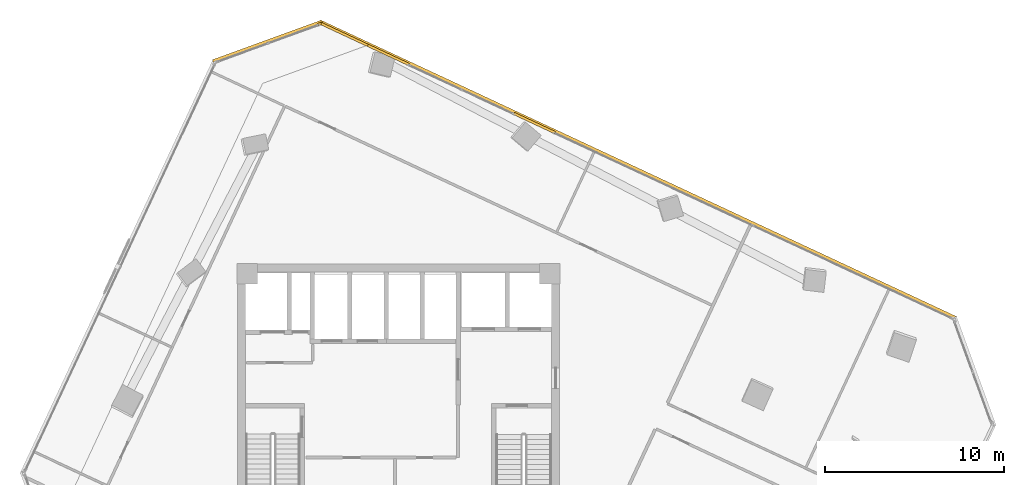
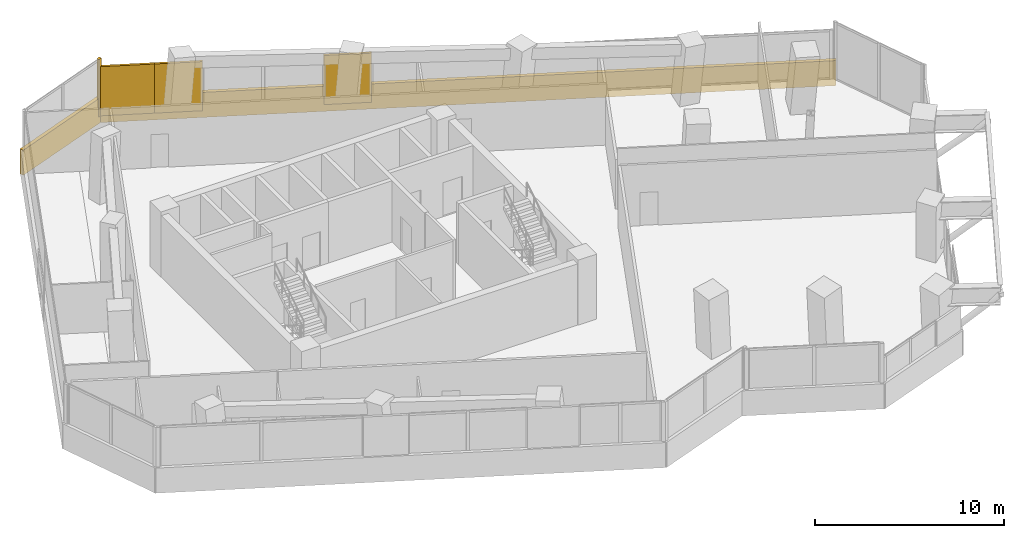
# One storey, part 21 of 21: 6 coverings.
"""IFC4 building model written with IfcOpenShell, lengths in metres."""

from ifc_helpers import new_model, si_unit, direction, frame, origin, origin_2d, place, context, subcontext, project, spatial, rectangle, extrude, source, transform, mapped, material, layer, layer_set, type_object, element, save


model = new_model("IFC4")

# Units and contexts
model_context = context("Model", 3, precision=1e-05, world=origin(), true_north=direction((0.0, 1.0)))
body_context = subcontext(model_context, "Body", "Model", "MODEL_VIEW")
ifc_project = project(units=[si_unit("LENGTHUNIT", "METRE"), si_unit("AREAUNIT", "SQUARE_METRE"), si_unit("VOLUMEUNIT", "CUBIC_METRE"), si_unit("PLANEANGLEUNIT", "RADIAN"), si_unit("MASSUNIT", "GRAM", prefix="KILO")], contexts=[model_context])

# Site, building, storey
site_placement = place(None, origin())
site = spatial("IfcSite", under=ifc_project, at=site_placement, CompositionType="ELEMENT")
building_placement = place(site_placement, origin())
building = spatial("IfcBuilding", under=site, at=building_placement, Name="Torre Montelarca", CompositionType="ELEMENT")
storey_placement = place(building_placement, frame((0.0, 0.0, 162.39990234375)))
storey = spatial("IfcBuildingStorey", under=building, at=storey_placement, Name="L36", CompositionType="ELEMENT", Elevation=162.39990234375)

# Coverings
ifc_material = material(Name="Bush-hammered warm white precast concrete C45/55", Category="concrete")
ifc_layer = layer(ifc_material, 0.139892578125, Name="Bush-hammered warm white precast concrete C45/55", Category="concrete")
ifc_layer_set = layer_set([ifc_layer], Name="Bush-hammered warm white precast concrete C45/55")
covering_type = type_object("IfcCoveringType", Name="COV-TRAY-CLAD", PredefinedType="CLADDING", material=ifc_layer_set)
shared_shape_1 = source(origin(), body_context, "Body", "SweptSolid", [
    extrude(rectangle(XDim=6.48388671875, YDim=0.219970703125, at=origin_2d()), origin(), (0.0, 0.0, 1.0), 1.6201171875),
])
covering_1_placement = place(storey_placement, frame((10.684326171875, 52.412109375, -0.449951171875), z_axis=(0.0, 0.0, 1.0), x_axis=(-0.939691426905, -0.34202342347, 0.0)))
element("IfcCovering", 1, at=covering_1_placement, inside=storey, type_object=covering_type, Name="L36 Architectural White Spandrel Tray Band TRYBOT-09", PredefinedType="CLADDING", context=body_context, shape_type="MappedRepresentation", body=[
    mapped(shared_shape_1, transform((0.0, 0.0, 0.0), scale=1.0)),
])
shared_shape_2 = source(origin(), body_context, "Body", "SweptSolid", [
    extrude(rectangle(XDim=0.199951171875, YDim=0.139892578125, at=origin_2d()), origin(), (0.0, 0.0, 1.0), 3.719970703125),
])
covering_2_placement = place(storey_placement, frame((13.586181640625, 53.404296875, 0.0), z_axis=(0.0, 0.0, 1.0), x_axis=(-0.939693814656, -0.342016863178, 0.0)))
element("IfcCovering", 2, at=covering_2_placement, inside=storey, type_object=covering_type, Name="L36 Architectural Column Pier Cladding E09-1", PredefinedType="CLADDING", context=body_context, shape_type="MappedRepresentation", body=[
    mapped(shared_shape_2, transform((0.0, 0.0, 0.0), scale=1.0)),
])
shared_shape_3 = source(origin(), body_context, "Body", "SweptSolid", [
    extrude(rectangle(XDim=2.54296875, YDim=0.139892578125, at=origin_2d()), origin(), (0.0, 0.0, 1.0), 3.175048828125),
])
covering_3_placement = place(storey_placement, frame((25.58740234375, 47.869384765625, 0.0), z_axis=(0.0, 0.0, 1.0), x_axis=(-0.906307787037, 0.422618261741, 0.0)))
element("IfcCovering", 3, at=covering_3_placement, inside=storey, type_object=covering_type, Name="L36 Architectural Column Pier Cladding E08-2", PredefinedType="CLADDING", context=body_context, shape_type="MappedRepresentation", body=[
    mapped(shared_shape_3, transform((0.0, 0.0, 0.0), scale=1.0)),
])
shared_shape_4 = source(origin(), body_context, "Body", "SweptSolid", [
    extrude(rectangle(XDim=2.54931640625, YDim=0.139892578125, at=origin_2d()), origin(), (0.0, 0.0, 1.0), 3.175048828125),
])
covering_4_placement = place(storey_placement, frame((17.435546875, 51.670654296875, 0.0), z_axis=(0.0, 0.0, 1.0), x_axis=(-0.906307787037, 0.422618261741, 0.0)))
element("IfcCovering", 4, at=covering_4_placement, inside=storey, type_object=covering_type, Name="L36 Architectural Column Pier Cladding E08-3", PredefinedType="CLADDING", context=body_context, shape_type="MappedRepresentation", body=[
    mapped(shared_shape_4, transform((0.0, 0.0, 0.0), scale=1.0)),
])
shared_shape_5 = source(origin(), body_context, "Body", "SweptSolid", [
    extrude(rectangle(XDim=3.0126953125, YDim=0.139892578125, at=origin_2d()), origin(), (0.0, 0.0, 1.0), 3.175048828125),
])
covering_5_placement = place(storey_placement, frame((15.005859375, 52.8037109375, 0.0), z_axis=(0.0, 0.0, 1.0), x_axis=(-0.906307787037, 0.422618261741, 0.0)))
element("IfcCovering", 5, at=covering_5_placement, inside=storey, type_object=covering_type, Name="L36 Architectural Column Pier Cladding E08-4", PredefinedType="CLADDING", context=body_context, shape_type="MappedRepresentation", body=[
    mapped(shared_shape_5, transform((0.0, 0.0, 0.0), scale=1.0)),
])
shared_shape_6 = source(origin(), body_context, "Body", "SweptSolid", [
    extrude(rectangle(XDim=39.22021484375, YDim=0.219970703125, at=origin_2d()), origin(), (0.0, 0.0, 1.0), 1.6201171875),
])
covering_6_placement = place(storey_placement, frame((31.369873046875, 45.2392578125, -0.449951171875), z_axis=(0.0, 0.0, 1.0), x_axis=(-0.906307787037, 0.422618261741, 0.0)))
element("IfcCovering", 6, at=covering_6_placement, inside=storey, type_object=covering_type, Name="L36 Architectural White Spandrel Tray Band TRYBOT-08", PredefinedType="CLADDING", context=body_context, shape_type="MappedRepresentation", body=[
    mapped(shared_shape_6, transform((0.0, 0.0, 0.0), scale=1.0)),
])

save(model, "model.ifc")
